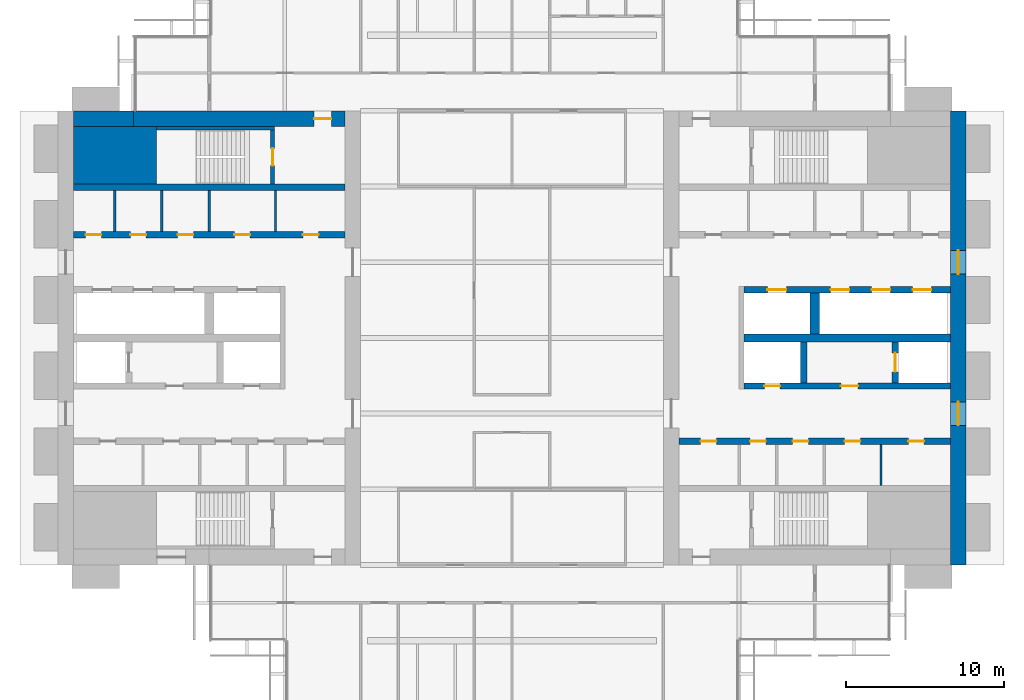
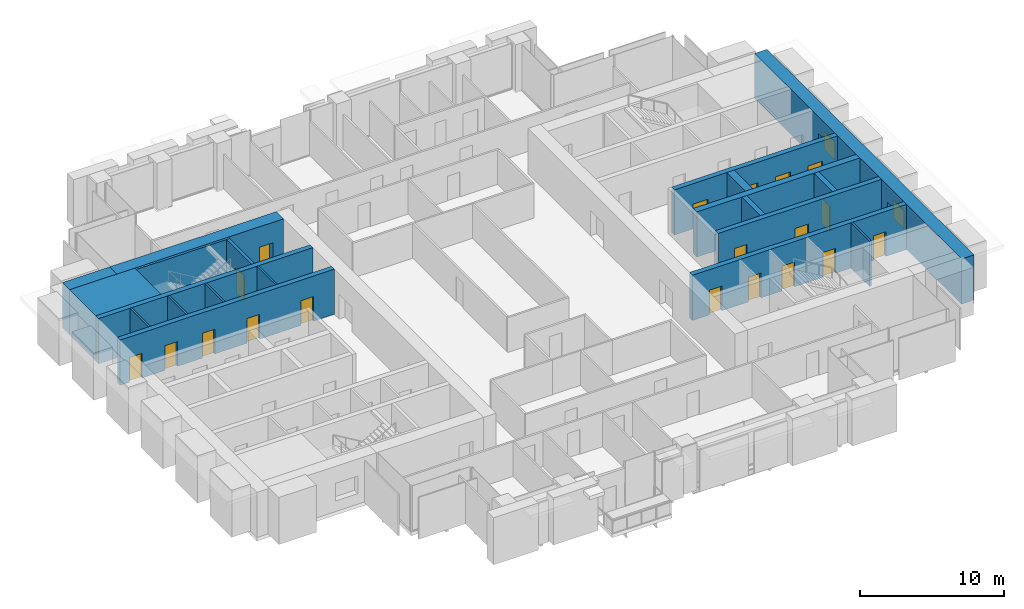
# One storey, part 11 of 15: 20 walls, 19 doors, 2 windows, 21 openings.
"""IFC4 building model written with IfcOpenShell, lengths in metres."""

from ifc_helpers import new_model, si_unit, direction, frame, frame_2d, origin, place, context, subcontext, project, spatial, rectangle, extrude, material, layer, layer_set, type_object, element, fill, save


model = new_model("IFC4")

# Units and contexts
model_context = context("Model", 3, precision=1e-05, world=origin(), true_north=direction((0.0, 1.0)))
body_context = subcontext(model_context, "Body", "Model", "MODEL_VIEW")
ifc_project = project(units=[si_unit("LENGTHUNIT", "METRE"), si_unit("AREAUNIT", "SQUARE_METRE"), si_unit("VOLUMEUNIT", "CUBIC_METRE"), si_unit("PLANEANGLEUNIT", "RADIAN"), si_unit("MASSUNIT", "GRAM", prefix="KILO")], contexts=[model_context])

# Site, building, storey
site_placement = place(None, origin())
site = spatial("IfcSite", under=ifc_project, at=site_placement, CompositionType="ELEMENT")
building_placement = place(site_placement, origin())
building = spatial("IfcBuilding", under=site, at=building_placement, Name="Baori Bourse Tower", CompositionType="ELEMENT")
storey_placement = place(building_placement, frame((0.0, 0.0, 104.10009765625)))
storey = spatial("IfcBuildingStorey", under=building, at=storey_placement, Name="L21", CompositionType="ELEMENT", Elevation=104.10009765625)

# Walls
ifc_material_1 = material(Name="Concrete f'c 60 MPa", Category="concrete")
wall_type_1 = type_object("IfcWallType", Name="Core corner block f'c 60", PredefinedType="SHEAR", material=ifc_material_1)
wall_1_placement = place(storey_placement, frame((1.0, 35.574951171875, 0.0), z_axis=(0.0, 0.0, 1.0), x_axis=(1.0, 0.0, 0.0)))
element("IfcWall", 1, at=wall_1_placement, inside=storey, type_object=wall_type_1, Name="Core wall W28", PredefinedType="SHEAR", context=body_context, shape_type="SweptSolid", body=[
    extrude(rectangle(XDim=5.25, YDim=3.64990234375, at=frame_2d((2.625, 0.0))), origin(), (0.0, 0.0, 1.0), 3.83984375),
])
ifc_material_2 = material(Name="Blockwork partition", Category="masonry")
ifc_layer_1 = layer(ifc_material_2, 0.14990234375)
ifc_layer_set_1 = layer_set([ifc_layer_1], Name="Core partition 150")
wall_type_2 = type_object("IfcWallType", Name="Core partition 150", PredefinedType="PARTITIONING", material=ifc_layer_set_1)
for number, where, z_axis, x_axis, name in (
    (2, (3.60009765625, 30.75, 0.0), (0.0, 0.0, 1.0), (0.0, 1.0, 0.0), "Partition wall W23"),
    (3, (6.60009765625, 30.75, 0.0), (0.0, 0.0, 1.0), (0.0, 1.0, 0.0), "Partition wall W24"),
    (4, (9.60009765625, 30.75, 0.0), (0.0, 0.0, 1.0), (0.0, 1.0, 0.0), "Partition wall W25"),
    (5, (13.800048828125, 30.75, 0.0), (0.0, 0.0, 1.0), (0.0, 1.0, 0.0), "Partition wall W26"),
    (6, (52.199951171875, 14.64990234375, 0.0), (0.0, 0.0, 1.0), (0.0, 1.0, 0.0), "Partition wall E09"),
):
    element("IfcWall", number, at=place(storey_placement, frame(where, z_axis=z_axis, x_axis=x_axis)), inside=storey, type_object=wall_type_2, Name=name, PredefinedType="PARTITIONING", context=body_context, shape_type="SweptSolid", body=[
        extrude(rectangle(XDim=2.60009765625, YDim=0.14990234375, at=frame_2d((1.300048828125, 0.0))), origin(), (0.0, 0.0, 1.0), 3.83984375),
    ])
ifc_material_3 = material(Name="Concrete f'c 60 MPa", Category="concrete")
ifc_layer_2 = layer(ifc_material_3, 1.0)
ifc_layer_set_2 = layer_set([ifc_layer_2], Name="Core wall 1000 f'c 60")
wall_type_3 = type_object("IfcWallType", Name="Core wall 1000 f'c 60", PredefinedType="SHEAR", material=ifc_layer_set_2)
wall_2_placement = place(storey_placement, frame((1.0, 37.89990234375, 0.0), z_axis=(0.0, 0.0, 1.0), x_axis=(1.0, 0.0, 0.0)))
element("IfcWall", 7, at=wall_2_placement, inside=storey, type_object=wall_type_3, Name="Core wall W31", PredefinedType="SHEAR", context=body_context, shape_type="SweptSolid", body=[
    extrude(rectangle(XDim=3.800048828125, YDim=1.0, at=frame_2d((1.89990234375, 0.0))), origin(), (0.0, 0.0, 1.0), 3.83984375),
])

# Wall, opening, door
wall_3_placement = place(storey_placement, frame((4.800048828125, 37.89990234375, 0.0), z_axis=(0.0, 0.0, 1.0), x_axis=(1.0, 0.0, 0.0)))
wall_3 = element("IfcWall", 8, at=wall_3_placement, inside=storey, type_object=wall_type_3, Name="Core wall W32", PredefinedType="SHEAR", context=body_context, shape_type="SweptSolid", body=[
    extrude(rectangle(XDim=13.39990234375, YDim=1.0, at=frame_2d((6.699951171875, 0.0))), origin(), (0.0, 0.0, 1.0), 3.83984375),
])
opening_1_placement = place(wall_3_placement, frame((11.449951171875, 0.0, 0.0)))
opening_1 = element("IfcOpeningElement", 9, at=opening_1_placement, cuts=wall_3, Name="Opening L21-D104", PredefinedType="OPENING", context=body_context, shape_type="SweptSolid", body=[
    extrude(rectangle(XDim=1.10009765625, YDim=2.10009765625, at=frame_2d((0.550048828125, 1.050048828125))), frame((0.0, 0.510009765625, 0.0), z_axis=(0.0, -1.0, 0.0), x_axis=(1.0, 0.0, 0.0)), (0.0, 0.0, 1.0), 1.02001953125),
])
ifc_material_4 = material(Name="Painted steel door", Category="steel")
door_type_1 = type_object("IfcDoorType", Name="Stair door 1100", OperationType="SINGLE_SWING_LEFT", PredefinedType="DOOR", material=ifc_material_4)
door_1_placement = place(opening_1_placement, origin())
door_1 = element("IfcDoor", 10, at=door_1_placement, inside=storey, type_object=door_type_1, Name="Stair vestibule door B W L21", OperationType="SINGLE_SWING_LEFT", OverallHeight=2.10009765625, OverallWidth=1.10009765625, PredefinedType="DOOR", context=body_context, shape_type="SweptSolid", body=[
    extrude(rectangle(XDim=1.10009765625, YDim=2.10009765625, at=frame_2d((0.550048828125, 1.050048828125))), frame((0.0, 0.02490234375, 0.0), z_axis=(0.0, -1.0, 0.0), x_axis=(1.0, 0.0, 0.0)), (0.0, 0.0, 1.0), 0.050048828125),
])
fill(opening_1, door_1)

# Wall, openings, windows
wall_4_placement = place(storey_placement, frame((57.10009765625, 38.39990234375, 0.0), z_axis=(0.0, 0.0, 1.0), x_axis=(0.0, -1.0, 0.0)))
wall_4 = element("IfcWall", 11, at=wall_4_placement, inside=storey, type_object=wall_type_3, Name="Core wall E01", PredefinedType="SHEAR", context=body_context, shape_type="SweptSolid", body=[
    extrude(rectangle(XDim=28.7998046875, YDim=1.0, at=frame_2d((14.39990234375, 0.0))), origin(), (0.0, 0.0, 1.0), 3.83984375),
])
opening_2_placement = place(wall_4_placement, frame((18.449951171875, 0.0, 0.89990234375)))
opening_2 = element("IfcOpeningElement", 12, at=opening_2_placement, cuts=wall_4, Name="Opening L21-KW201", PredefinedType="OPENING", context=body_context, shape_type="SweptSolid", body=[
    extrude(rectangle(XDim=1.5, YDim=1.5, at=frame_2d((0.75, 0.75))), frame((0.0, 0.510009765625, 0.0), z_axis=(0.0, -1.0, 0.0), x_axis=(1.0, 0.0, 0.0)), (0.0, 0.0, 1.0), 1.02001953125),
])
opening_3_placement = place(wall_4_placement, frame((8.85009765625, 0.0, 0.89990234375)))
opening_3 = element("IfcOpeningElement", 13, at=opening_3_placement, cuts=wall_4, Name="Opening L21-KW202", PredefinedType="OPENING", context=body_context, shape_type="SweptSolid", body=[
    extrude(rectangle(XDim=1.5, YDim=1.5, at=frame_2d((0.75, 0.75))), frame((0.0, 0.510009765625, 0.0), z_axis=(0.0, -1.0, 0.0), x_axis=(1.0, 0.0, 0.0)), (0.0, 0.0, 1.0), 1.02001953125),
])
ifc_material_5 = material(Name="Pale anodised aluminium", Category="aluminium")
window_type = type_object("IfcWindowType", Name="Lobby window 1500 x 1500", PartitioningType="SINGLE_PANEL", PredefinedType="WINDOW", material=ifc_material_5)
window_1_placement = place(opening_2_placement, origin())
window_1 = element("IfcWindow", 14, at=window_1_placement, inside=storey, type_object=window_type, Name="Outer wall window E L21 1", OverallHeight=1.5, OverallWidth=1.5, PartitioningType="SINGLE_PANEL", PredefinedType="WINDOW", context=body_context, shape_type="SweptSolid", body=[
    extrude(rectangle(XDim=1.5, YDim=1.5, at=frame_2d((0.75, 0.75))), frame((0.0, 0.030029296875, 0.0), z_axis=(0.0, -1.0, 0.0), x_axis=(1.0, 0.0, 0.0)), (0.0, 0.0, 1.0), 0.06005859375),
])
fill(opening_2, window_1)
window_2_placement = place(opening_3_placement, origin())
window_2 = element("IfcWindow", 15, at=window_2_placement, inside=storey, type_object=window_type, Name="Outer wall window E L21 2", OverallHeight=1.5, OverallWidth=1.5, PartitioningType="SINGLE_PANEL", PredefinedType="WINDOW", context=body_context, shape_type="SweptSolid", body=[
    extrude(rectangle(XDim=1.5, YDim=1.5, at=frame_2d((0.75, 0.75))), frame((0.0, 0.030029296875, 0.0), z_axis=(0.0, -1.0, 0.0), x_axis=(1.0, 0.0, 0.0)), (0.0, 0.0, 1.0), 0.06005859375),
])
fill(opening_3, window_2)

# Wall
ifc_material_6 = material(Name="Concrete f'c 60 MPa", Category="concrete")
ifc_layer_3 = layer(ifc_material_6, 0.199951171875)
ifc_layer_set_3 = layer_set([ifc_layer_3], Name="Shaft wall 200 f'c 60")
wall_type_4 = type_object("IfcWallType", Name="Shaft wall 200 f'c 60", PredefinedType="SHEAR", material=ifc_layer_set_3)
wall_5_placement = place(storey_placement, frame((6.25, 37.300048828125, 0.0), z_axis=(0.0, 0.0, 1.0), x_axis=(1.0, 0.0, 0.0)))
element("IfcWall", 16, at=wall_5_placement, inside=storey, type_object=wall_type_4, Name="Core wall W30", PredefinedType="SHEAR", context=body_context, shape_type="SweptSolid", body=[
    extrude(rectangle(XDim=7.5, YDim=0.199951171875, at=frame_2d((3.75, 0.0))), origin(), (0.0, 0.0, 1.0), 3.83984375),
])

# Wall, opening, door
ifc_material_7 = material(Name="Concrete f'c 60 MPa", Category="concrete")
ifc_layer_4 = layer(ifc_material_7, 0.25)
ifc_layer_set_4 = layer_set([ifc_layer_4], Name="Shaft wall 250 f'c 60")
wall_type_5 = type_object("IfcWallType", Name="Shaft wall 250 f'c 60", PredefinedType="SHEAR", material=ifc_layer_set_4)
wall_6_placement = place(storey_placement, frame((13.625, 33.75, 0.0), z_axis=(0.0, 0.0, 1.0), x_axis=(0.0, 1.0, 0.0)))
wall_6 = element("IfcWall", 17, at=wall_6_placement, inside=storey, type_object=wall_type_5, Name="Core wall W29", PredefinedType="SHEAR", context=body_context, shape_type="SweptSolid", body=[
    extrude(rectangle(XDim=3.449951171875, YDim=0.25, at=frame_2d((1.72509765625, 0.0))), origin(), (0.0, 0.0, 1.0), 3.83984375),
])
opening_4_placement = place(wall_6_placement, frame((1.175048828125, 0.0, 0.0)))
opening_4 = element("IfcOpeningElement", 18, at=opening_4_placement, cuts=wall_6, Name="Opening L21-D103", PredefinedType="OPENING", context=body_context, shape_type="SweptSolid", body=[
    extrude(rectangle(XDim=1.10009765625, YDim=2.10009765625, at=frame_2d((0.550048828125, 1.050048828125))), frame((0.0, 0.135009765625, 0.0), z_axis=(0.0, -1.0, 0.0), x_axis=(1.0, 0.0, 0.0)), (0.0, 0.0, 1.0), 0.27001953125),
])
door_2_placement = place(opening_4_placement, origin())
door_2 = element("IfcDoor", 19, at=door_2_placement, inside=storey, type_object=door_type_1, Name="Stair door B W L21", OperationType="SINGLE_SWING_LEFT", OverallHeight=2.10009765625, OverallWidth=1.10009765625, PredefinedType="DOOR", context=body_context, shape_type="SweptSolid", body=[
    extrude(rectangle(XDim=1.10009765625, YDim=2.10009765625, at=frame_2d((0.550048828125, 1.050048828125))), frame((0.0, 0.02490234375, 0.0), z_axis=(0.0, -1.0, 0.0), x_axis=(1.0, 0.0, 0.0)), (0.0, 0.0, 1.0), 0.050048828125),
])
fill(opening_4, door_2)

# Wall, openings, doors
ifc_material_8 = material(Name="Concrete f'c 60 MPa", Category="concrete")
ifc_layer_5 = layer(ifc_material_8, 0.39990234375)
ifc_layer_set_5 = layer_set([ifc_layer_5], Name="Shaft wall 400 f'c 60")
wall_type_6 = type_object("IfcWallType", Name="Shaft wall 400 f'c 60", PredefinedType="SHEAR", material=ifc_layer_set_5)
wall_7_placement = place(storey_placement, frame((1.0, 30.550048828125, 0.0), z_axis=(0.0, 0.0, 1.0), x_axis=(1.0, 0.0, 0.0)))
wall_7 = element("IfcWall", 20, at=wall_7_placement, inside=storey, type_object=wall_type_6, Name="Core wall W22", PredefinedType="SHEAR", context=body_context, shape_type="SweptSolid", body=[
    extrude(rectangle(XDim=17.199951171875, YDim=0.39990234375, at=frame_2d((8.60009765625, 0.0))), origin(), (0.0, 0.0, 1.0), 3.83984375),
])
opening_5_placement = place(wall_7_placement, frame((0.762451171875, 0.0, 0.0)))
opening_5 = element("IfcOpeningElement", 21, at=opening_5_placement, cuts=wall_7, Name="Opening L21-D109", PredefinedType="OPENING", context=body_context, shape_type="SweptSolid", body=[
    extrude(rectangle(XDim=1.0, YDim=2.10009765625, at=frame_2d((0.5, 1.050048828125))), frame((0.0, 0.2099609375, 0.0), z_axis=(0.0, -1.0, 0.0), x_axis=(1.0, 0.0, 0.0)), (0.0, 0.0, 1.0), 0.419921875),
])
opening_6_placement = place(wall_7_placement, frame((3.60009765625, 0.0, 0.0)))
opening_6 = element("IfcOpeningElement", 22, at=opening_6_placement, cuts=wall_7, Name="Opening L21-D110", PredefinedType="OPENING", context=body_context, shape_type="SweptSolid", body=[
    extrude(rectangle(XDim=1.0, YDim=2.10009765625, at=frame_2d((0.5, 1.050048828125))), frame((0.0, 0.2099609375, 0.0), z_axis=(0.0, -1.0, 0.0), x_axis=(1.0, 0.0, 0.0)), (0.0, 0.0, 1.0), 0.419921875),
])
opening_7_placement = place(wall_7_placement, frame((6.60009765625, 0.0, 0.0)))
opening_7 = element("IfcOpeningElement", 23, at=opening_7_placement, cuts=wall_7, Name="Opening L21-D111", PredefinedType="OPENING", context=body_context, shape_type="SweptSolid", body=[
    extrude(rectangle(XDim=1.0, YDim=2.10009765625, at=frame_2d((0.5, 1.050048828125))), frame((0.0, 0.2099609375, 0.0), z_axis=(0.0, -1.0, 0.0), x_axis=(1.0, 0.0, 0.0)), (0.0, 0.0, 1.0), 0.419921875),
])
opening_8_placement = place(wall_7_placement, frame((10.199951171875, 0.0, 0.0)))
opening_8 = element("IfcOpeningElement", 24, at=opening_8_placement, cuts=wall_7, Name="Opening L21-D112", PredefinedType="OPENING", context=body_context, shape_type="SweptSolid", body=[
    extrude(rectangle(XDim=1.0, YDim=2.10009765625, at=frame_2d((0.5, 1.050048828125))), frame((0.0, 0.2099609375, 0.0), z_axis=(0.0, -1.0, 0.0), x_axis=(1.0, 0.0, 0.0)), (0.0, 0.0, 1.0), 0.419921875),
])
opening_9_placement = place(wall_7_placement, frame((14.53759765625, 0.0, 0.0)))
opening_9 = element("IfcOpeningElement", 25, at=opening_9_placement, cuts=wall_7, Name="Opening L21-D113", PredefinedType="OPENING", context=body_context, shape_type="SweptSolid", body=[
    extrude(rectangle(XDim=1.0, YDim=2.10009765625, at=frame_2d((0.5, 1.050048828125))), frame((0.0, 0.2099609375, 0.0), z_axis=(0.0, -1.0, 0.0), x_axis=(1.0, 0.0, 0.0)), (0.0, 0.0, 1.0), 0.419921875),
])
ifc_material_9 = material(Name="Painted steel door", Category="steel")
door_type_2 = type_object("IfcDoorType", Name="Core door 1000", OperationType="SINGLE_SWING_LEFT", PredefinedType="DOOR", material=ifc_material_9)
door_3_placement = place(opening_5_placement, origin())
door_3 = element("IfcDoor", 26, at=door_3_placement, inside=storey, type_object=door_type_2, Name="Pantry door W L21", OperationType="SINGLE_SWING_LEFT", OverallHeight=2.10009765625, OverallWidth=1.0, PredefinedType="DOOR", context=body_context, shape_type="SweptSolid", body=[
    extrude(rectangle(XDim=1.0, YDim=2.10009765625, at=frame_2d((0.5, 1.050048828125))), frame((0.0, 0.02490234375, 0.0), z_axis=(0.0, -1.0, 0.0), x_axis=(1.0, 0.0, 0.0)), (0.0, 0.0, 1.0), 0.050048828125),
])
fill(opening_5, door_3)
door_4_placement = place(opening_6_placement, origin())
door_4 = element("IfcDoor", 27, at=door_4_placement, inside=storey, type_object=door_type_2, Name="Accessible Wc door W L21", OperationType="SINGLE_SWING_LEFT", OverallHeight=2.10009765625, OverallWidth=1.0, PredefinedType="DOOR", context=body_context, shape_type="SweptSolid", body=[
    extrude(rectangle(XDim=1.0, YDim=2.10009765625, at=frame_2d((0.5, 1.050048828125))), frame((0.0, 0.02490234375, 0.0), z_axis=(0.0, -1.0, 0.0), x_axis=(1.0, 0.0, 0.0)), (0.0, 0.0, 1.0), 0.050048828125),
])
fill(opening_6, door_4)
door_5_placement = place(opening_7_placement, origin())
door_5 = element("IfcDoor", 28, at=door_5_placement, inside=storey, type_object=door_type_2, Name="Store Room door W L21", OperationType="SINGLE_SWING_LEFT", OverallHeight=2.10009765625, OverallWidth=1.0, PredefinedType="DOOR", context=body_context, shape_type="SweptSolid", body=[
    extrude(rectangle(XDim=1.0, YDim=2.10009765625, at=frame_2d((0.5, 1.050048828125))), frame((0.0, 0.02490234375, 0.0), z_axis=(0.0, -1.0, 0.0), x_axis=(1.0, 0.0, 0.0)), (0.0, 0.0, 1.0), 0.050048828125),
])
fill(opening_7, door_5)
door_6_placement = place(opening_8_placement, origin())
door_6 = element("IfcDoor", 29, at=door_6_placement, inside=storey, type_object=door_type_2, Name="Men'S Wc door W L21", OperationType="SINGLE_SWING_LEFT", OverallHeight=2.10009765625, OverallWidth=1.0, PredefinedType="DOOR", context=body_context, shape_type="SweptSolid", body=[
    extrude(rectangle(XDim=1.0, YDim=2.10009765625, at=frame_2d((0.5, 1.050048828125))), frame((0.0, 0.02490234375, 0.0), z_axis=(0.0, -1.0, 0.0), x_axis=(1.0, 0.0, 0.0)), (0.0, 0.0, 1.0), 0.050048828125),
])
fill(opening_8, door_6)
door_7_placement = place(opening_9_placement, origin())
door_7 = element("IfcDoor", 30, at=door_7_placement, inside=storey, type_object=door_type_2, Name="Women'S Wc door W L21", OperationType="SINGLE_SWING_LEFT", OverallHeight=2.10009765625, OverallWidth=1.0, PredefinedType="DOOR", context=body_context, shape_type="SweptSolid", body=[
    extrude(rectangle(XDim=1.0, YDim=2.10009765625, at=frame_2d((0.5, 1.050048828125))), frame((0.0, 0.02490234375, 0.0), z_axis=(0.0, -1.0, 0.0), x_axis=(1.0, 0.0, 0.0)), (0.0, 0.0, 1.0), 0.050048828125),
])
fill(opening_9, door_7)

# Wall
wall_8_placement = place(storey_placement, frame((1.0, 33.550048828125, 0.0), z_axis=(0.0, 0.0, 1.0), x_axis=(1.0, 0.0, 0.0)))
element("IfcWall", 31, at=wall_8_placement, inside=storey, type_object=wall_type_6, Name="Core wall W27", PredefinedType="SHEAR", context=body_context, shape_type="SweptSolid", body=[
    extrude(rectangle(XDim=17.199951171875, YDim=0.39990234375, at=frame_2d((8.60009765625, 0.0))), origin(), (0.0, 0.0, 1.0), 3.83984375),
])

# Wall, openings, doors
wall_9_placement = place(storey_placement, frame((39.39990234375, 17.449951171875, 0.0), z_axis=(0.0, 0.0, 1.0), x_axis=(1.0, 0.0, 0.0)))
wall_9 = element("IfcWall", 32, at=wall_9_placement, inside=storey, type_object=wall_type_6, Name="Core wall E13", PredefinedType="SHEAR", context=body_context, shape_type="SweptSolid", body=[
    extrude(rectangle(XDim=17.2001953125, YDim=0.39990234375, at=frame_2d((8.60009765625, 0.0))), origin(), (0.0, 0.0, 1.0), 3.83984375),
])
opening_10_placement = place(wall_9_placement, frame((14.53759765625, 0.0, 0.0)))
opening_10 = element("IfcOpeningElement", 33, at=opening_10_placement, cuts=wall_9, Name="Opening L21-D214", PredefinedType="OPENING", context=body_context, shape_type="SweptSolid", body=[
    extrude(rectangle(XDim=1.0, YDim=2.10009765625, at=frame_2d((0.5, 1.050048828125))), frame((0.0, 0.2099609375, 0.0), z_axis=(0.0, -1.0, 0.0), x_axis=(1.0, 0.0, 0.0)), (0.0, 0.0, 1.0), 0.419921875),
])
opening_11_placement = place(wall_9_placement, frame((10.5, 0.0, 0.0)))
opening_11 = element("IfcOpeningElement", 34, at=opening_11_placement, cuts=wall_9, Name="Opening L21-D215", PredefinedType="OPENING", context=body_context, shape_type="SweptSolid", body=[
    extrude(rectangle(XDim=1.0, YDim=2.10009765625, at=frame_2d((0.5, 1.050048828125))), frame((0.0, 0.2099609375, 0.0), z_axis=(0.0, -1.0, 0.0), x_axis=(1.0, 0.0, 0.0)), (0.0, 0.0, 1.0), 0.419921875),
])
opening_12_placement = place(wall_9_placement, frame((7.199951171875, 0.0, 0.0)))
opening_12 = element("IfcOpeningElement", 35, at=opening_12_placement, cuts=wall_9, Name="Opening L21-D216", PredefinedType="OPENING", context=body_context, shape_type="SweptSolid", body=[
    extrude(rectangle(XDim=1.0, YDim=2.10009765625, at=frame_2d((0.5, 1.050048828125))), frame((0.0, 0.2099609375, 0.0), z_axis=(0.0, -1.0, 0.0), x_axis=(1.0, 0.0, 0.0)), (0.0, 0.0, 1.0), 0.419921875),
])
opening_13_placement = place(wall_9_placement, frame((4.5, 0.0, 0.0)))
opening_13 = element("IfcOpeningElement", 36, at=opening_13_placement, cuts=wall_9, Name="Opening L21-D217", PredefinedType="OPENING", context=body_context, shape_type="SweptSolid", body=[
    extrude(rectangle(XDim=1.0, YDim=2.10009765625, at=frame_2d((0.5, 1.050048828125))), frame((0.0, 0.2099609375, 0.0), z_axis=(0.0, -1.0, 0.0), x_axis=(1.0, 0.0, 0.0)), (0.0, 0.0, 1.0), 0.419921875),
])
opening_14_placement = place(wall_9_placement, frame((1.362548828125, 0.0, 0.0)))
opening_14 = element("IfcOpeningElement", 37, at=opening_14_placement, cuts=wall_9, Name="Opening L21-D218", PredefinedType="OPENING", context=body_context, shape_type="SweptSolid", body=[
    extrude(rectangle(XDim=1.0, YDim=2.10009765625, at=frame_2d((0.5, 1.050048828125))), frame((0.0, 0.2099609375, 0.0), z_axis=(0.0, -1.0, 0.0), x_axis=(1.0, 0.0, 0.0)), (0.0, 0.0, 1.0), 0.419921875),
])
door_8_placement = place(opening_10_placement, origin())
door_8 = element("IfcDoor", 38, at=door_8_placement, inside=storey, type_object=door_type_2, Name="Men'S Wc door E L21", OperationType="SINGLE_SWING_LEFT", OverallHeight=2.10009765625, OverallWidth=1.0, PredefinedType="DOOR", context=body_context, shape_type="SweptSolid", body=[
    extrude(rectangle(XDim=1.0, YDim=2.10009765625, at=frame_2d((0.5, 1.050048828125))), frame((0.0, 0.02490234375, 0.0), z_axis=(0.0, -1.0, 0.0), x_axis=(1.0, 0.0, 0.0)), (0.0, 0.0, 1.0), 0.050048828125),
])
fill(opening_10, door_8)
door_9_placement = place(opening_11_placement, origin())
door_9 = element("IfcDoor", 39, at=door_9_placement, inside=storey, type_object=door_type_2, Name="Women'S Wc door E L21", OperationType="SINGLE_SWING_LEFT", OverallHeight=2.10009765625, OverallWidth=1.0, PredefinedType="DOOR", context=body_context, shape_type="SweptSolid", body=[
    extrude(rectangle(XDim=1.0, YDim=2.10009765625, at=frame_2d((0.5, 1.050048828125))), frame((0.0, 0.02490234375, 0.0), z_axis=(0.0, -1.0, 0.0), x_axis=(1.0, 0.0, 0.0)), (0.0, 0.0, 1.0), 0.050048828125),
])
fill(opening_11, door_9)
door_10_placement = place(opening_12_placement, origin())
door_10 = element("IfcDoor", 40, at=door_10_placement, inside=storey, type_object=door_type_2, Name="Store Room door E L21", OperationType="SINGLE_SWING_LEFT", OverallHeight=2.10009765625, OverallWidth=1.0, PredefinedType="DOOR", context=body_context, shape_type="SweptSolid", body=[
    extrude(rectangle(XDim=1.0, YDim=2.10009765625, at=frame_2d((0.5, 1.050048828125))), frame((0.0, 0.02490234375, 0.0), z_axis=(0.0, -1.0, 0.0), x_axis=(1.0, 0.0, 0.0)), (0.0, 0.0, 1.0), 0.050048828125),
])
fill(opening_12, door_10)
door_11_placement = place(opening_13_placement, origin())
door_11 = element("IfcDoor", 41, at=door_11_placement, inside=storey, type_object=door_type_2, Name="Janitor'S Closet door E L21", OperationType="SINGLE_SWING_LEFT", OverallHeight=2.10009765625, OverallWidth=1.0, PredefinedType="DOOR", context=body_context, shape_type="SweptSolid", body=[
    extrude(rectangle(XDim=1.0, YDim=2.10009765625, at=frame_2d((0.5, 1.050048828125))), frame((0.0, 0.02490234375, 0.0), z_axis=(0.0, -1.0, 0.0), x_axis=(1.0, 0.0, 0.0)), (0.0, 0.0, 1.0), 0.050048828125),
])
fill(opening_13, door_11)
door_12_placement = place(opening_14_placement, origin())
door_12 = element("IfcDoor", 42, at=door_12_placement, inside=storey, type_object=door_type_2, Name="Accessible Wc door E L21", OperationType="SINGLE_SWING_LEFT", OverallHeight=2.10009765625, OverallWidth=1.0, PredefinedType="DOOR", context=body_context, shape_type="SweptSolid", body=[
    extrude(rectangle(XDim=1.0, YDim=2.10009765625, at=frame_2d((0.5, 1.050048828125))), frame((0.0, 0.02490234375, 0.0), z_axis=(0.0, -1.0, 0.0), x_axis=(1.0, 0.0, 0.0)), (0.0, 0.0, 1.0), 0.050048828125),
])
fill(opening_14, door_12)

wall_10_placement = place(storey_placement, frame((43.5, 20.949951171875, 0.0), z_axis=(0.0, 0.0, 1.0), x_axis=(1.0, 0.0, 0.0)))
wall_10 = element("IfcWall", 43, at=wall_10_placement, inside=storey, type_object=wall_type_6, Name="Core wall E14", PredefinedType="SHEAR", context=body_context, shape_type="SweptSolid", body=[
    extrude(rectangle(XDim=13.10009765625, YDim=0.39990234375, at=frame_2d((6.550048828125, 0.0))), origin(), (0.0, 0.0, 1.0), 3.83984375),
])
opening_15_placement = place(wall_10_placement, frame((6.14990234375, 0.0, 0.0)))
opening_15 = element("IfcOpeningElement", 44, at=opening_15_placement, cuts=wall_10, Name="Opening L21-D205", PredefinedType="OPENING", context=body_context, shape_type="SweptSolid", body=[
    extrude(rectangle(XDim=1.10009765625, YDim=2.10009765625, at=frame_2d((0.550048828125, 1.050048828125))), frame((0.0, 0.2099609375, 0.0), z_axis=(0.0, -1.0, 0.0), x_axis=(1.0, 0.0, 0.0)), (0.0, 0.0, 1.0), 0.419921875),
])
opening_16_placement = place(wall_10_placement, frame((1.300048828125, 0.0, 0.0)))
opening_16 = element("IfcOpeningElement", 45, at=opening_16_placement, cuts=wall_10, Name="Opening L21-D206", PredefinedType="OPENING", context=body_context, shape_type="SweptSolid", body=[
    extrude(rectangle(XDim=1.0, YDim=2.10009765625, at=frame_2d((0.5, 1.050048828125))), frame((0.0, 0.2099609375, 0.0), z_axis=(0.0, -1.0, 0.0), x_axis=(1.0, 0.0, 0.0)), (0.0, 0.0, 1.0), 0.419921875),
])
ifc_material_10 = material(Name="Painted steel door", Category="steel")
door_type_3 = type_object("IfcDoorType", Name="Lobby door 1100", OperationType="SINGLE_SWING_LEFT", PredefinedType="DOOR", material=ifc_material_10)
door_13_placement = place(opening_15_placement, origin())
door_13 = element("IfcDoor", 46, at=door_13_placement, inside=storey, type_object=door_type_3, Name="Firefighting lobby door E L21", OperationType="SINGLE_SWING_LEFT", OverallHeight=2.10009765625, OverallWidth=1.10009765625, PredefinedType="DOOR", context=body_context, shape_type="SweptSolid", body=[
    extrude(rectangle(XDim=1.10009765625, YDim=2.10009765625, at=frame_2d((0.550048828125, 1.050048828125))), frame((0.0, 0.02490234375, 0.0), z_axis=(0.0, -1.0, 0.0), x_axis=(1.0, 0.0, 0.0)), (0.0, 0.0, 1.0), 0.050048828125),
])
fill(opening_15, door_13)
ifc_material_11 = material(Name="Painted steel door", Category="steel")
door_type_4 = type_object("IfcDoorType", Name="Shaft door 1000", OperationType="SINGLE_SWING_LEFT", PredefinedType="DOOR", material=ifc_material_11)
door_14_placement = place(opening_16_placement, origin())
door_14 = element("IfcDoor", 47, at=door_14_placement, inside=storey, type_object=door_type_4, Name="Riser room door E L21", OperationType="SINGLE_SWING_LEFT", OverallHeight=2.10009765625, OverallWidth=1.0, PredefinedType="DOOR", context=body_context, shape_type="SweptSolid", body=[
    extrude(rectangle(XDim=1.0, YDim=2.10009765625, at=frame_2d((0.5, 1.050048828125))), frame((0.0, 0.02490234375, 0.0), z_axis=(0.0, -1.0, 0.0), x_axis=(1.0, 0.0, 0.0)), (0.0, 0.0, 1.0), 0.050048828125),
])
fill(opening_16, door_14)

# Wall, opening, door
wall_11_placement = place(storey_placement, frame((53.10009765625, 21.14990234375, 0.0), z_axis=(0.0, 0.0, 1.0), x_axis=(0.0, 1.0, 0.0)))
wall_11 = element("IfcWall", 48, at=wall_11_placement, inside=storey, type_object=wall_type_6, Name="Core wall E16", PredefinedType="SHEAR", context=body_context, shape_type="SweptSolid", body=[
    extrude(rectangle(XDim=2.60009765625, YDim=0.39990234375, at=frame_2d((1.300048828125, 0.0))), origin(), (0.0, 0.0, 1.0), 3.83984375),
])
opening_17_placement = place(wall_11_placement, frame((0.699951171875, 0.0, 0.0)))
opening_17 = element("IfcOpeningElement", 49, at=opening_17_placement, cuts=wall_11, Name="Opening L21-D223", PredefinedType="OPENING", context=body_context, shape_type="SweptSolid", body=[
    extrude(rectangle(XDim=1.199951171875, YDim=2.10009765625, at=frame_2d((0.60009765625, 1.050048828125))), frame((0.0, 0.2099609375, 0.0), z_axis=(0.0, -1.0, 0.0), x_axis=(1.0, 0.0, 0.0)), (0.0, 0.0, 1.0), 0.419921875),
])
ifc_material_12 = material(Name="Stainless steel door", Category="steel")
door_type_5 = type_object("IfcDoorType", Name="Lift landing door", OperationType="DOUBLE_DOOR_SLIDING", PredefinedType="DOOR", material=ifc_material_12)
door_15_placement = place(opening_17_placement, origin())
door_15 = element("IfcDoor", 50, at=door_15_placement, inside=storey, type_object=door_type_5, Name="Lift landing door FF2 E L21", OperationType="DOUBLE_DOOR_SLIDING", OverallHeight=2.10009765625, OverallWidth=1.199951171875, PredefinedType="DOOR", context=body_context, shape_type="SweptSolid", body=[
    extrude(rectangle(XDim=1.199951171875, YDim=2.10009765625, at=frame_2d((0.60009765625, 1.050048828125))), frame((0.0, 0.02490234375, 0.0), z_axis=(0.0, -1.0, 0.0), x_axis=(1.0, 0.0, 0.0)), (0.0, 0.0, 1.0), 0.050048828125),
])
fill(opening_17, door_15)

# Wall
wall_12_placement = place(storey_placement, frame((47.300048828125, 21.14990234375, 0.0), z_axis=(0.0, 0.0, 1.0), x_axis=(0.0, 1.0, 0.0)))
element("IfcWall", 51, at=wall_12_placement, inside=storey, type_object=wall_type_6, Name="Core wall E17", PredefinedType="SHEAR", context=body_context, shape_type="SweptSolid", body=[
    extrude(rectangle(XDim=2.60009765625, YDim=0.39990234375, at=frame_2d((1.300048828125, 0.0))), origin(), (0.0, 0.0, 1.0), 3.83984375),
])

# Wall, openings, doors
wall_13_placement = place(storey_placement, frame((43.5, 27.050048828125, 0.0), z_axis=(0.0, 0.0, 1.0), x_axis=(1.0, 0.0, 0.0)))
wall_13 = element("IfcWall", 52, at=wall_13_placement, inside=storey, type_object=wall_type_6, Name="Core wall E20", PredefinedType="SHEAR", context=body_context, shape_type="SweptSolid", body=[
    extrude(rectangle(XDim=13.10009765625, YDim=0.39990234375, at=frame_2d((6.550048828125, 0.0))), origin(), (0.0, 0.0, 1.0), 3.83984375),
])
opening_18_placement = place(wall_13_placement, frame((10.699951171875, 0.0, 0.0)))
opening_18 = element("IfcOpeningElement", 53, at=opening_18_placement, cuts=wall_13, Name="Opening L21-D219", PredefinedType="OPENING", context=body_context, shape_type="SweptSolid", body=[
    extrude(rectangle(XDim=1.199951171875, YDim=2.10009765625, at=frame_2d((0.60009765625, 1.050048828125))), frame((0.0, 0.2099609375, 0.0), z_axis=(0.0, -1.0, 0.0), x_axis=(1.0, 0.0, 0.0)), (0.0, 0.0, 1.0), 0.419921875),
])
opening_19_placement = place(wall_13_placement, frame((8.10009765625, 0.0, 0.0)))
opening_19 = element("IfcOpeningElement", 54, at=opening_19_placement, cuts=wall_13, Name="Opening L21-D220", PredefinedType="OPENING", context=body_context, shape_type="SweptSolid", body=[
    extrude(rectangle(XDim=1.199951171875, YDim=2.10009765625, at=frame_2d((0.60009765625, 1.050048828125))), frame((0.0, 0.2099609375, 0.0), z_axis=(0.0, -1.0, 0.0), x_axis=(1.0, 0.0, 0.0)), (0.0, 0.0, 1.0), 0.419921875),
])
opening_20_placement = place(wall_13_placement, frame((5.5, 0.0, 0.0)))
opening_20 = element("IfcOpeningElement", 55, at=opening_20_placement, cuts=wall_13, Name="Opening L21-D221", PredefinedType="OPENING", context=body_context, shape_type="SweptSolid", body=[
    extrude(rectangle(XDim=1.199951171875, YDim=2.10009765625, at=frame_2d((0.60009765625, 1.050048828125))), frame((0.0, 0.2099609375, 0.0), z_axis=(0.0, -1.0, 0.0), x_axis=(1.0, 0.0, 0.0)), (0.0, 0.0, 1.0), 0.419921875),
])
opening_21_placement = place(wall_13_placement, frame((1.5, 0.0, 0.0)))
opening_21 = element("IfcOpeningElement", 56, at=opening_21_placement, cuts=wall_13, Name="Opening L21-D222", PredefinedType="OPENING", context=body_context, shape_type="SweptSolid", body=[
    extrude(rectangle(XDim=1.199951171875, YDim=2.10009765625, at=frame_2d((0.60009765625, 1.050048828125))), frame((0.0, 0.2099609375, 0.0), z_axis=(0.0, -1.0, 0.0), x_axis=(1.0, 0.0, 0.0)), (0.0, 0.0, 1.0), 0.419921875),
])
door_16_placement = place(opening_18_placement, origin())
door_16 = element("IfcDoor", 57, at=door_16_placement, inside=storey, type_object=door_type_5, Name="Lift landing door SH1 E L21", OperationType="DOUBLE_DOOR_SLIDING", OverallHeight=2.10009765625, OverallWidth=1.199951171875, PredefinedType="DOOR", context=body_context, shape_type="SweptSolid", body=[
    extrude(rectangle(XDim=1.199951171875, YDim=2.10009765625, at=frame_2d((0.60009765625, 1.050048828125))), frame((0.0, 0.02490234375, 0.0), z_axis=(0.0, -1.0, 0.0), x_axis=(1.0, 0.0, 0.0)), (0.0, 0.0, 1.0), 0.050048828125),
])
fill(opening_18, door_16)
door_17_placement = place(opening_19_placement, origin())
door_17 = element("IfcDoor", 58, at=door_17_placement, inside=storey, type_object=door_type_5, Name="Lift landing door SH2 E L21", OperationType="DOUBLE_DOOR_SLIDING", OverallHeight=2.10009765625, OverallWidth=1.199951171875, PredefinedType="DOOR", context=body_context, shape_type="SweptSolid", body=[
    extrude(rectangle(XDim=1.199951171875, YDim=2.10009765625, at=frame_2d((0.60009765625, 1.050048828125))), frame((0.0, 0.02490234375, 0.0), z_axis=(0.0, -1.0, 0.0), x_axis=(1.0, 0.0, 0.0)), (0.0, 0.0, 1.0), 0.050048828125),
])
fill(opening_19, door_17)
door_18_placement = place(opening_20_placement, origin())
door_18 = element("IfcDoor", 59, at=door_18_placement, inside=storey, type_object=door_type_5, Name="Lift landing door SH3 E L21", OperationType="DOUBLE_DOOR_SLIDING", OverallHeight=2.10009765625, OverallWidth=1.199951171875, PredefinedType="DOOR", context=body_context, shape_type="SweptSolid", body=[
    extrude(rectangle(XDim=1.199951171875, YDim=2.10009765625, at=frame_2d((0.60009765625, 1.050048828125))), frame((0.0, 0.02490234375, 0.0), z_axis=(0.0, -1.0, 0.0), x_axis=(1.0, 0.0, 0.0)), (0.0, 0.0, 1.0), 0.050048828125),
])
fill(opening_20, door_18)
door_19_placement = place(opening_21_placement, origin())
door_19 = element("IfcDoor", 60, at=door_19_placement, inside=storey, type_object=door_type_5, Name="Lift landing door SV1 E L21", OperationType="DOUBLE_DOOR_SLIDING", OverallHeight=2.10009765625, OverallWidth=1.199951171875, PredefinedType="DOOR", context=body_context, shape_type="SweptSolid", body=[
    extrude(rectangle(XDim=1.199951171875, YDim=2.10009765625, at=frame_2d((0.60009765625, 1.050048828125))), frame((0.0, 0.02490234375, 0.0), z_axis=(0.0, -1.0, 0.0), x_axis=(1.0, 0.0, 0.0)), (0.0, 0.0, 1.0), 0.050048828125),
])
fill(opening_21, door_19)

# Walls
ifc_material_13 = material(Name="Concrete f'c 60 MPa", Category="concrete")
ifc_layer_6 = layer(ifc_material_13, 0.5)
ifc_layer_set_6 = layer_set([ifc_layer_6], Name="Shaft wall 500 f'c 60")
wall_type_7 = type_object("IfcWallType", Name="Shaft wall 500 f'c 60", PredefinedType="SHEAR", material=ifc_layer_set_6)
wall_14_placement = place(storey_placement, frame((43.5, 24.0, 0.0), z_axis=(0.0, 0.0, 1.0), x_axis=(1.0, 0.0, 0.0)))
element("IfcWall", 61, at=wall_14_placement, inside=storey, type_object=wall_type_7, Name="Core wall E18", PredefinedType="SHEAR", context=body_context, shape_type="SweptSolid", body=[
    extrude(rectangle(XDim=13.10009765625, YDim=0.5, at=frame_2d((6.550048828125, 0.0))), origin(), (0.0, 0.0, 1.0), 3.83984375),
])
ifc_material_14 = material(Name="Concrete f'c 60 MPa", Category="concrete")
ifc_layer_7 = layer(ifc_material_14, 0.60009765625)
ifc_layer_set_7 = layer_set([ifc_layer_7], Name="Shaft wall 600 f'c 60")
wall_type_8 = type_object("IfcWallType", Name="Shaft wall 600 f'c 60", PredefinedType="SHEAR", material=ifc_layer_set_7)
wall_15_placement = place(storey_placement, frame((48.0, 24.25, 0.0), z_axis=(0.0, 0.0, 1.0), x_axis=(0.0, 1.0, 0.0)))
element("IfcWall", 62, at=wall_15_placement, inside=storey, type_object=wall_type_8, Name="Core wall E19", PredefinedType="SHEAR", context=body_context, shape_type="SweptSolid", body=[
    extrude(rectangle(XDim=2.60009765625, YDim=0.60009765625, at=frame_2d((1.300048828125, 0.0))), origin(), (0.0, 0.0, 1.0), 3.83984375),
])

save(model, "model.ifc")
